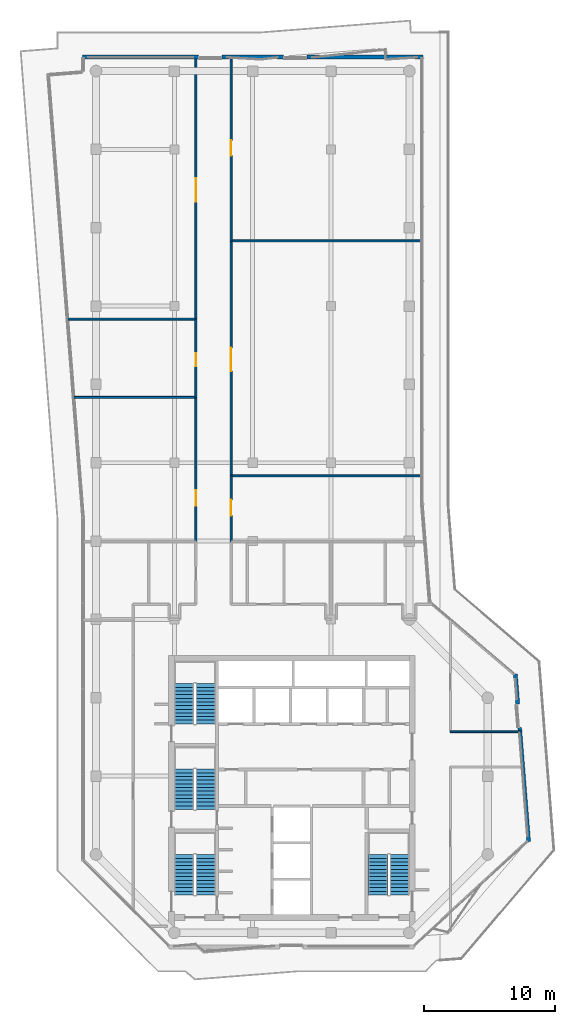
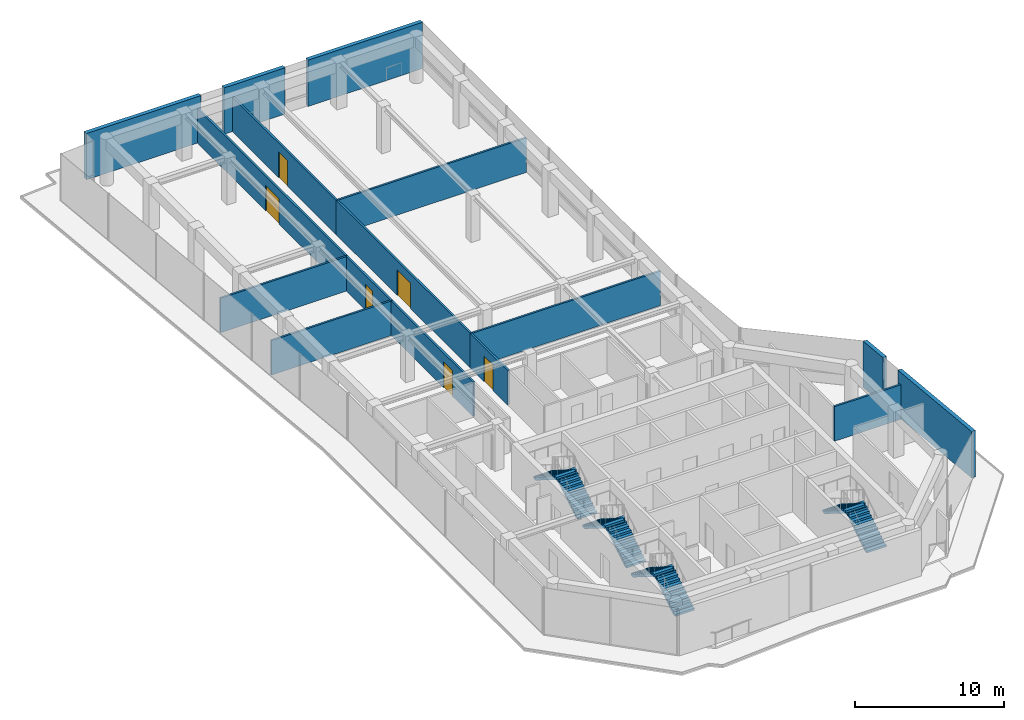
# One storey, part 21 of 23: 16 walls, 8 stair flights, 6 doors, 6 openings, 4 elements without a shape of their own.
"""IFC4 building model written with IfcOpenShell, lengths in metres."""

from ifc_helpers import new_model, si_unit, direction, frame, frame_2d, origin, place, context, subcontext, project, spatial, polyline, rectangle, outline, extrude, material, layer, layer_set, type_object, element, fill, aggregate, save


model = new_model("IFC4")

# Units and contexts
model_context = context("Model", 3, precision=1e-05, world=origin(), true_north=direction((0.0, 1.0)))
body_context = subcontext(model_context, "Body", "Model", "MODEL_VIEW")
ifc_project = project(units=[si_unit("LENGTHUNIT", "METRE"), si_unit("AREAUNIT", "SQUARE_METRE"), si_unit("VOLUMEUNIT", "CUBIC_METRE"), si_unit("PLANEANGLEUNIT", "RADIAN"), si_unit("MASSUNIT", "GRAM", prefix="KILO")], contexts=[model_context])

# Site, building, storey
site_placement = place(None, origin())
site = spatial("IfcSite", under=ifc_project, at=site_placement, CompositionType="ELEMENT")
building_placement = place(site_placement, origin())
building = spatial("IfcBuilding", under=site, at=building_placement, Name="Welwitschia Terrace Campus", CompositionType="ELEMENT")
storey_placement = place(building_placement, frame((0.0, 0.0, 209.60009765625)))
storey = spatial("IfcBuildingStorey", under=building, at=storey_placement, Name="L46", CompositionType="ELEMENT", Elevation=209.60009765625)

# Walls
ifc_material_1 = material(Name="Gypsum board on steel studs", Category="steel")
ifc_layer_1 = layer(ifc_material_1, 0.14990234375)
ifc_layer_set_1 = layer_set([ifc_layer_1], Name="Gypsum board on steel studs")
wall_type_1 = type_object("IfcWallType", Name="Corridor partition 150 EI 30", PredefinedType="PARTITIONING", material=ifc_layer_set_1)
wall_1_placement = place(storey_placement, frame((-2.179931640625, 51.0, 0.0), z_axis=(0.0, 0.0, 1.0), x_axis=(1.0, 0.0, 0.0)))
element("IfcWall", 1, at=wall_1_placement, inside=storey, type_object=wall_type_1, Name="Partition", PredefinedType="PARTITIONING", context=body_context, shape_type="SweptSolid", body=[
    extrude(rectangle(XDim=9.829833984375, YDim=0.14990234375, at=frame_2d((4.9150390625, 0.0))), origin(), (0.0, 0.0, 1.0), 2.829833984375),
])
wall_2_placement = place(storey_placement, frame((-1.699951171875, 45.0, 0.0), z_axis=(0.0, 0.0, 1.0), x_axis=(1.0, 0.0, 0.0)))
element("IfcWall", 2, at=wall_2_placement, inside=storey, type_object=wall_type_1, Name="Partition", PredefinedType="PARTITIONING", context=body_context, shape_type="SweptSolid", body=[
    extrude(rectangle(XDim=9.349853515625, YDim=0.14990234375, at=frame_2d((4.6748046875, 0.0))), origin(), (0.0, 0.0, 1.0), 2.829833984375),
])

# Wall, opening, door
wall_3_placement = place(storey_placement, frame((7.64990234375, 33.949951171875, 0.0), z_axis=(0.0, 0.0, 1.0), x_axis=(0.0, 1.0, 0.0)))
wall_3 = element("IfcWall", 3, at=wall_3_placement, inside=storey, type_object=wall_type_1, Name="Partition", PredefinedType="PARTITIONING", context=body_context, shape_type="SweptSolid", body=[
    extrude(rectangle(XDim=11.050048828125, YDim=0.14990234375, at=frame_2d((5.52490234375, 0.0))), origin(), (0.0, 0.0, 1.0), 2.829833984375),
])
opening_1_placement = place(wall_3_placement, frame((2.75, 0.0, 0.0)))
opening_1 = element("IfcOpeningElement", 4, at=opening_1_placement, cuts=wall_3, Name="Opening DI12", PredefinedType="OPENING", context=body_context, shape_type="SweptSolid", body=[
    extrude(rectangle(XDim=1.199951171875, YDim=2.10009765625, at=frame_2d((0.60009765625, 1.050048828125))), frame((0.0, 0.0849609375, 0.0), z_axis=(0.0, -1.0, 0.0), x_axis=(1.0, 0.0, 0.0)), (0.0, 0.0, 1.0), 0.169921875),
])
ifc_material_2 = material(Name="Timber veneered door", Category="wood")
door_type_1 = type_object("IfcDoorType", Name="Interior door DI12", OperationType="NOTDEFINED", PredefinedType="DOOR", material=ifc_material_2)
door_1_placement = place(opening_1_placement, origin())
door_1 = element("IfcDoor", 5, at=door_1_placement, inside=storey, type_object=door_type_1, Name="Door L46 873", OperationType="SINGLE_SWING_RIGHT", OverallHeight=2.10009765625, OverallWidth=1.199951171875, PredefinedType="DOOR", context=body_context, shape_type="SweptSolid", body=[
    extrude(rectangle(XDim=1.199951171875, YDim=2.10009765625, at=frame_2d((0.60009765625, 1.050048828125))), frame((0.0, 0.02490234375, 0.0), z_axis=(0.0, -1.0, 0.0), x_axis=(1.0, 0.0, 0.0)), (0.0, 0.0, 1.0), 0.050048828125),
])
fill(opening_1, door_1)

wall_4_placement = place(storey_placement, frame((7.64990234375, 45.0, 0.0), z_axis=(0.0, 0.0, 1.0), x_axis=(0.0, 1.0, 0.0)))
wall_4 = element("IfcWall", 6, at=wall_4_placement, inside=storey, type_object=wall_type_1, Name="Partition", PredefinedType="PARTITIONING", context=body_context, shape_type="SweptSolid", body=[
    extrude(rectangle(XDim=6.0, YDim=0.14990234375, at=frame_2d((3.0, 0.0))), origin(), (0.0, 0.0, 1.0), 2.829833984375),
])
opening_2_placement = place(wall_4_placement, frame((2.39990234375, 0.0, 0.0)))
opening_2 = element("IfcOpeningElement", 7, at=opening_2_placement, cuts=wall_4, Name="Opening DI10", PredefinedType="OPENING", context=body_context, shape_type="SweptSolid", body=[
    extrude(rectangle(XDim=1.0, YDim=2.10009765625, at=frame_2d((0.5, 1.050048828125))), frame((0.0, 0.0849609375, 0.0), z_axis=(0.0, -1.0, 0.0), x_axis=(1.0, 0.0, 0.0)), (0.0, 0.0, 1.0), 0.169921875),
])
ifc_material_3 = material(Name="Timber veneered door", Category="wood")
door_type_2 = type_object("IfcDoorType", Name="Interior door DI10", OperationType="NOTDEFINED", PredefinedType="DOOR", material=ifc_material_3)
door_2_placement = place(opening_2_placement, origin())
door_2 = element("IfcDoor", 8, at=door_2_placement, inside=storey, type_object=door_type_2, Name="Door L46 874", OperationType="SINGLE_SWING_LEFT", OverallHeight=2.10009765625, OverallWidth=1.0, PredefinedType="DOOR", context=body_context, shape_type="SweptSolid", body=[
    extrude(rectangle(XDim=1.0, YDim=2.10009765625, at=frame_2d((0.5, 1.050048828125))), frame((0.0, 0.02490234375, 0.0), z_axis=(0.0, -1.0, 0.0), x_axis=(1.0, 0.0, 0.0)), (0.0, 0.0, 1.0), 0.050048828125),
])
fill(opening_2, door_2)

wall_5_placement = place(storey_placement, frame((7.64990234375, 71.090087890625, 0.0), z_axis=(0.0, 0.0, 1.0), x_axis=(0.0, -1.0, 0.0)))
wall_5 = element("IfcWall", 9, at=wall_5_placement, inside=storey, type_object=wall_type_1, Name="Partition", PredefinedType="PARTITIONING", context=body_context, shape_type="SweptSolid", body=[
    extrude(rectangle(XDim=20.090087890625, YDim=0.14990234375, at=frame_2d((10.044921875, 0.0))), origin(), (0.0, 0.0, 1.0), 2.829833984375),
])
opening_3_placement = place(wall_5_placement, frame((9.31005859375, 0.0, 0.0)))
opening_3 = element("IfcOpeningElement", 10, at=opening_3_placement, cuts=wall_5, Name="Opening DI18", PredefinedType="OPENING", context=body_context, shape_type="SweptSolid", body=[
    extrude(rectangle(XDim=1.800048828125, YDim=2.10009765625, at=frame_2d((0.89990234375, 1.050048828125))), frame((0.0, 0.0849609375, 0.0), z_axis=(0.0, -1.0, 0.0), x_axis=(1.0, 0.0, 0.0)), (0.0, 0.0, 1.0), 0.169921875),
])
ifc_material_4 = material(Name="Timber veneered door", Category="wood")
door_type_3 = type_object("IfcDoorType", Name="Interior door DI18", OperationType="DOUBLE_DOOR_SINGLE_SWING", PredefinedType="DOOR", material=ifc_material_4)
door_3_placement = place(opening_3_placement, origin())
door_3 = element("IfcDoor", 11, at=door_3_placement, inside=storey, type_object=door_type_3, Name="Door L46 875", OperationType="SINGLE_SWING_LEFT", OverallHeight=2.10009765625, OverallWidth=1.800048828125, PredefinedType="DOOR", context=body_context, shape_type="SweptSolid", body=[
    extrude(rectangle(XDim=1.800048828125, YDim=2.10009765625, at=frame_2d((0.89990234375, 1.050048828125))), frame((0.0, 0.02490234375, 0.0), z_axis=(0.0, -1.0, 0.0), x_axis=(1.0, 0.0, 0.0)), (0.0, 0.0, 1.0), 0.050048828125),
])
fill(opening_3, door_3)

wall_6_placement = place(storey_placement, frame((10.35009765625, 39.0, 0.0), z_axis=(0.0, 0.0, 1.0), x_axis=(0.0, -1.0, 0.0)))
wall_6 = element("IfcWall", 12, at=wall_6_placement, inside=storey, type_object=wall_type_1, Name="Partition", PredefinedType="PARTITIONING", context=body_context, shape_type="SweptSolid", body=[
    extrude(rectangle(XDim=5.050048828125, YDim=0.14990234375, at=frame_2d((2.52490234375, 0.0))), origin(), (0.0, 0.0, 1.0), 2.829833984375),
])
opening_4_placement = place(wall_6_placement, frame((1.85009765625, 0.0, 0.0)))
opening_4 = element("IfcOpeningElement", 13, at=opening_4_placement, cuts=wall_6, Name="Opening DI12", PredefinedType="OPENING", context=body_context, shape_type="SweptSolid", body=[
    extrude(rectangle(XDim=1.199951171875, YDim=2.10009765625, at=frame_2d((0.60009765625, 1.050048828125))), frame((0.0, 0.0849609375, 0.0), z_axis=(0.0, -1.0, 0.0), x_axis=(1.0, 0.0, 0.0)), (0.0, 0.0, 1.0), 0.169921875),
])
door_4_placement = place(opening_4_placement, origin())
door_4 = element("IfcDoor", 14, at=door_4_placement, inside=storey, type_object=door_type_1, Name="Door L46 876", OperationType="SINGLE_SWING_LEFT", OverallHeight=2.10009765625, OverallWidth=1.199951171875, PredefinedType="DOOR", context=body_context, shape_type="SweptSolid", body=[
    extrude(rectangle(XDim=1.199951171875, YDim=2.10009765625, at=frame_2d((0.60009765625, 1.050048828125))), frame((0.0, 0.02490234375, 0.0), z_axis=(0.0, -1.0, 0.0), x_axis=(1.0, 0.0, 0.0)), (0.0, 0.0, 1.0), 0.050048828125),
])
fill(opening_4, door_4)

wall_7_placement = place(storey_placement, frame((10.35009765625, 39.0, 0.0), z_axis=(0.0, 0.0, 1.0), x_axis=(0.0, 1.0, 0.0)))
wall_7 = element("IfcWall", 15, at=wall_7_placement, inside=storey, type_object=wall_type_1, Name="Partition", PredefinedType="PARTITIONING", context=body_context, shape_type="SweptSolid", body=[
    extrude(rectangle(XDim=18.0, YDim=0.14990234375, at=frame_2d((9.0, 0.0))), origin(), (0.0, 0.0, 1.0), 2.829833984375),
])
opening_5_placement = place(wall_7_placement, frame((8.0, 0.0, 0.0)))
opening_5 = element("IfcOpeningElement", 16, at=opening_5_placement, cuts=wall_7, Name="Opening DI18", PredefinedType="OPENING", context=body_context, shape_type="SweptSolid", body=[
    extrude(rectangle(XDim=1.800048828125, YDim=2.10009765625, at=frame_2d((0.89990234375, 1.050048828125))), frame((0.0, 0.0849609375, 0.0), z_axis=(0.0, -1.0, 0.0), x_axis=(1.0, 0.0, 0.0)), (0.0, 0.0, 1.0), 0.169921875),
])
door_5_placement = place(opening_5_placement, origin())
door_5 = element("IfcDoor", 17, at=door_5_placement, inside=storey, type_object=door_type_3, Name="Door L46 877", OperationType="SINGLE_SWING_LEFT", OverallHeight=2.10009765625, OverallWidth=1.800048828125, PredefinedType="DOOR", context=body_context, shape_type="SweptSolid", body=[
    extrude(rectangle(XDim=1.800048828125, YDim=2.10009765625, at=frame_2d((0.89990234375, 1.050048828125))), frame((0.0, 0.02490234375, 0.0), z_axis=(0.0, -1.0, 0.0), x_axis=(1.0, 0.0, 0.0)), (0.0, 0.0, 1.0), 0.050048828125),
])
fill(opening_5, door_5)

# Walls
for number, where, z_axis, x_axis, name in (
    (18, (10.35009765625, 39.0, 0.0), (0.0, 0.0, 1.0), (1.0, 0.0, 0.0), "Partition"),
    (19, (10.35009765625, 57.0, 0.0), (0.0, 0.0, 1.0), (1.0, 0.0, 0.0), "Partition"),
):
    element("IfcWall", number, at=place(storey_placement, frame(where, z_axis=z_axis, x_axis=x_axis)), inside=storey, type_object=wall_type_1, Name=name, PredefinedType="PARTITIONING", context=body_context, shape_type="SweptSolid", body=[
        extrude(rectangle(XDim=14.6298828125, YDim=0.14990234375, at=frame_2d((7.31494140625, 0.0))), origin(), (0.0, 0.0, 1.0), 2.829833984375),
    ])

# Wall, opening, door
wall_8_placement = place(storey_placement, frame((10.35009765625, 71.090087890625, 0.0), z_axis=(0.0, 0.0, 1.0), x_axis=(0.0, -1.0, 0.0)))
wall_8 = element("IfcWall", 20, at=wall_8_placement, inside=storey, type_object=wall_type_1, Name="Partition", PredefinedType="PARTITIONING", context=body_context, shape_type="SweptSolid", body=[
    extrude(rectangle(XDim=14.090087890625, YDim=0.14990234375, at=frame_2d((7.044921875, 0.0))), origin(), (0.0, 0.0, 1.0), 2.829833984375),
])
opening_6_placement = place(wall_8_placement, frame((6.389892578125, 0.0, 0.0)))
opening_6 = element("IfcOpeningElement", 21, at=opening_6_placement, cuts=wall_8, Name="Opening DI12", PredefinedType="OPENING", context=body_context, shape_type="SweptSolid", body=[
    extrude(rectangle(XDim=1.199951171875, YDim=2.10009765625, at=frame_2d((0.60009765625, 1.050048828125))), frame((0.0, 0.0849609375, 0.0), z_axis=(0.0, -1.0, 0.0), x_axis=(1.0, 0.0, 0.0)), (0.0, 0.0, 1.0), 0.169921875),
])
door_6_placement = place(opening_6_placement, origin())
door_6 = element("IfcDoor", 22, at=door_6_placement, inside=storey, type_object=door_type_1, Name="Door L46 878", OperationType="SINGLE_SWING_LEFT", OverallHeight=2.10009765625, OverallWidth=1.199951171875, PredefinedType="DOOR", context=body_context, shape_type="SweptSolid", body=[
    extrude(rectangle(XDim=1.199951171875, YDim=2.10009765625, at=frame_2d((0.60009765625, 1.050048828125))), frame((0.0, 0.02490234375, 0.0), z_axis=(0.0, -1.0, 0.0), x_axis=(1.0, 0.0, 0.0)), (0.0, 0.0, 1.0), 0.050048828125),
])
fill(opening_6, door_6)

# Walls
wall_9_placement = place(storey_placement, frame((27.14990234375, 19.39990234375, 0.0), z_axis=(0.0, 0.0, 1.0), x_axis=(1.0, 0.0, 0.0)))
element("IfcWall", 23, at=wall_9_placement, inside=storey, type_object=wall_type_1, Name="Partition", PredefinedType="PARTITIONING", context=body_context, shape_type="SweptSolid", body=[
    extrude(rectangle(XDim=5.330078125, YDim=0.14990234375, at=frame_2d((2.6650390625, 0.0))), origin(), (0.0, 0.0, 1.0), 2.829833984375),
])
ifc_material_5 = material(Name="Concrete C40/50", Category="concrete")
ifc_layer_2 = layer(ifc_material_5, 0.300048828125)
ifc_layer_set_2 = layer_set([ifc_layer_2], Name="Concrete C40/50")
wall_type_2 = type_object("IfcWallType", Name="Mass wall 300", PredefinedType="SOLIDWALL", material=ifc_layer_set_2)
wall_10_placement = place(storey_placement, frame((33.130859375, 10.998291015625, 0.0), z_axis=(0.0, 0.0, 1.0), x_axis=(-0.078467243586, 0.996916692449, 0.0)))
element("IfcWall", 24, at=wall_10_placement, inside=storey, type_object=wall_type_2, Name="Mass wall L46.4.0", PredefinedType="SOLIDWALL", context=body_context, shape_type="SweptSolid", body=[
    extrude(rectangle(XDim=8.73974609375, YDim=0.300048828125, at=frame_2d((4.369873046875, 0.0))), origin(), (0.0, 0.0, 1.0), 3.7998046875),
])
wall_11_placement = place(storey_placement, frame((32.3037109375, 21.505615234375, 0.0), z_axis=(0.0, 0.0, 1.0), x_axis=(-0.078407178347, 0.996921418359, 0.0)))
element("IfcWall", 25, at=wall_11_placement, inside=storey, type_object=wall_type_2, Name="Mass wall L46.4.1", PredefinedType="SOLIDWALL", context=body_context, shape_type="SweptSolid", body=[
    extrude(rectangle(XDim=2.3134765625, YDim=0.300048828125, at=frame_2d((1.15673828125, 0.0))), origin(), (0.0, 0.0, 1.0), 3.7998046875),
])
wall_12_placement = place(storey_placement, frame((25.030029296875, 71.078125, 0.0), z_axis=(0.0, 0.0, 1.0), x_axis=(-1.0, 0.0, 0.0)))
element("IfcWall", 26, at=wall_12_placement, inside=storey, type_object=wall_type_2, Name="Mass wall L46.8.0", PredefinedType="SOLIDWALL", context=body_context, shape_type="SweptSolid", body=[
    extrude(rectangle(XDim=8.87255859375, YDim=0.300048828125, at=frame_2d((4.436279296875, 0.0))), origin(), (0.0, 0.0, 1.0), 3.7998046875),
])
wall_13_placement = place(storey_placement, frame((14.357421875, 71.080078125, 0.0), z_axis=(0.0, 0.0, 1.0), x_axis=(-1.0, 0.0, 0.0)))
element("IfcWall", 27, at=wall_13_placement, inside=storey, type_object=wall_type_2, Name="Mass wall L46.8.1", PredefinedType="SOLIDWALL", context=body_context, shape_type="SweptSolid", body=[
    extrude(rectangle(XDim=4.71484375, YDim=0.300048828125, at=frame_2d((2.357421875, 0.0))), origin(), (0.0, 0.0, 1.0), 3.7998046875),
])
wall_14_placement = place(storey_placement, frame((7.842529296875, 71.078125, 0.0), z_axis=(0.0, 0.0, 1.0), x_axis=(-1.0, 0.0, 0.0)))
element("IfcWall", 28, at=wall_14_placement, inside=storey, type_object=wall_type_2, Name="Mass wall L46.8.2", PredefinedType="SOLIDWALL", context=body_context, shape_type="SweptSolid", body=[
    extrude(rectangle(XDim=8.87255859375, YDim=0.300048828125, at=frame_2d((4.436279296875, 0.0))), origin(), (0.0, 0.0, 1.0), 3.7998046875),
])

# Stair, stair flights
ifc_material_6 = material(Name="Concrete C40/50", Category="concrete")
stair_type = type_object("IfcStairType", Name="Stair 24R 175 W1500", PredefinedType="HALF_TURN_STAIR", material=ifc_material_6)
stair_1_placement = place(storey_placement, origin())
stair_1 = element("IfcStair", 29, at=stair_1_placement, inside=storey, type_object=stair_type, Name="L46 Exit stair S1", PredefinedType="HALF_TURN_STAIR")
ifc_material_7 = material(Name="Concrete C40/50", Category="concrete")
stair_flight_type = type_object("IfcStairFlightType", Name="Stair flight 24R 175 W1500", PredefinedType="STRAIGHT", material=ifc_material_7)
stair_flight_1_placement = place(storey_placement, frame((8.39990234375, 6.89990234375, 0.0), z_axis=(0.0, 0.0, 1.0), x_axis=(0.0, 1.0, 0.0)))
stair_flight_1 = element("IfcStairFlight", 30, at=stair_flight_1_placement, type_object=stair_flight_type, Name="S1 flight 1", NumberOfRisers=12, NumberOfTreads=11, PredefinedType="STRAIGHT", RiserHeight=0.175, TreadLength=0.28, context=body_context, shape_type="SweptSolid", body=[
    extrude(outline(polyline([(0.0, 0.0), (0.0, 0.175048828125), (0.280029296875, 0.175048828125), (0.280029296875, 0.35009765625), (0.56005859375, 0.35009765625), (0.56005859375, 0.52490234375), (0.840087890625, 0.52490234375), (0.840087890625, 0.699951171875), (1.1201171875, 0.699951171875), (1.1201171875, 0.875), (1.39990234375, 0.875), (1.39990234375, 1.050048828125), (1.679931640625, 1.050048828125), (1.679931640625, 1.22509765625), (1.9599609375, 1.22509765625), (1.9599609375, 1.39990234375), (2.239990234375, 1.39990234375), (2.239990234375, 1.574951171875), (2.52001953125, 1.574951171875), (2.52001953125, 1.75), (2.800048828125, 1.75), (2.800048828125, 1.925048828125), (3.080078125, 1.925048828125), (3.080078125, 2.10009765625), (3.080078125, 1.748291015625), (0.28271484375, 0.0), (0.0, 0.0)])), frame((0.0, 0.75, 0.0), z_axis=(0.0, -1.0, 0.0), x_axis=(1.0, 0.0, 0.0)), (0.0, 0.0, 1.0), 1.5),
])
stair_flight_2_placement = place(storey_placement, frame((6.75, 9.97998046875, 2.099853515625), z_axis=(0.0, 0.0, 1.0), x_axis=(0.0, -1.0, 0.0)))
stair_flight_2 = element("IfcStairFlight", 31, at=stair_flight_2_placement, type_object=stair_flight_type, Name="S1 flight 2", NumberOfRisers=12, NumberOfTreads=11, PredefinedType="STRAIGHT", RiserHeight=0.175, TreadLength=0.28, context=body_context, shape_type="SweptSolid", body=[
    extrude(outline(polyline([(0.0, 0.0), (0.0, 0.175048828125), (0.280029296875, 0.175048828125), (0.280029296875, 0.35009765625), (0.56005859375, 0.35009765625), (0.56005859375, 0.52490234375), (0.840087890625, 0.52490234375), (0.840087890625, 0.699951171875), (1.1201171875, 0.699951171875), (1.1201171875, 0.875), (1.39990234375, 0.875), (1.39990234375, 1.050048828125), (1.679931640625, 1.050048828125), (1.679931640625, 1.22509765625), (1.9599609375, 1.22509765625), (1.9599609375, 1.39990234375), (2.239990234375, 1.39990234375), (2.239990234375, 1.574951171875), (2.52001953125, 1.574951171875), (2.52001953125, 1.75), (2.800048828125, 1.75), (2.800048828125, 1.925048828125), (3.080078125, 1.925048828125), (3.080078125, 2.10009765625), (3.080078125, 1.748291015625), (0.28271484375, 0.0), (0.0, 0.0)])), frame((0.0, 0.75, 0.0), z_axis=(0.0, -1.0, 0.0), x_axis=(1.0, 0.0, 0.0)), (0.0, 0.0, 1.0), 1.5),
])
aggregate(stair_1, [stair_flight_1, stair_flight_2])

stair_2_placement = place(storey_placement, origin())
stair_2 = element("IfcStair", 32, at=stair_2_placement, inside=storey, type_object=stair_type, Name="L46 Exit stair S3", PredefinedType="HALF_TURN_STAIR")
stair_flight_3_placement = place(storey_placement, frame((8.39990234375, 13.449951171875, 0.0), z_axis=(0.0, 0.0, 1.0), x_axis=(0.0, 1.0, 0.0)))
stair_flight_3 = element("IfcStairFlight", 33, at=stair_flight_3_placement, type_object=stair_flight_type, Name="S3 flight 1", NumberOfRisers=12, NumberOfTreads=11, PredefinedType="STRAIGHT", RiserHeight=0.175, TreadLength=0.28, context=body_context, shape_type="SweptSolid", body=[
    extrude(outline(polyline([(0.0, 0.0), (0.0, 0.175048828125), (0.280029296875, 0.175048828125), (0.280029296875, 0.35009765625), (0.56005859375, 0.35009765625), (0.56005859375, 0.52490234375), (0.840087890625, 0.52490234375), (0.840087890625, 0.699951171875), (1.1201171875, 0.699951171875), (1.1201171875, 0.875), (1.39990234375, 0.875), (1.39990234375, 1.050048828125), (1.679931640625, 1.050048828125), (1.679931640625, 1.22509765625), (1.9599609375, 1.22509765625), (1.9599609375, 1.39990234375), (2.239990234375, 1.39990234375), (2.239990234375, 1.574951171875), (2.52001953125, 1.574951171875), (2.52001953125, 1.75), (2.800048828125, 1.75), (2.800048828125, 1.925048828125), (3.080078125, 1.925048828125), (3.080078125, 2.10009765625), (3.080078125, 1.748291015625), (0.28271484375, 0.0), (0.0, 0.0)])), frame((0.0, 0.75, 0.0), z_axis=(0.0, -1.0, 0.0), x_axis=(1.0, 0.0, 0.0)), (0.0, 0.0, 1.0), 1.5),
])
stair_flight_4_placement = place(storey_placement, frame((6.75, 16.530029296875, 2.099853515625), z_axis=(0.0, 0.0, 1.0), x_axis=(0.0, -1.0, 0.0)))
stair_flight_4 = element("IfcStairFlight", 34, at=stair_flight_4_placement, type_object=stair_flight_type, Name="S3 flight 2", NumberOfRisers=12, NumberOfTreads=11, PredefinedType="STRAIGHT", RiserHeight=0.175, TreadLength=0.28, context=body_context, shape_type="SweptSolid", body=[
    extrude(outline(polyline([(0.0, 0.0), (0.0, 0.175048828125), (0.280029296875, 0.175048828125), (0.280029296875, 0.35009765625), (0.56005859375, 0.35009765625), (0.56005859375, 0.52490234375), (0.840087890625, 0.52490234375), (0.840087890625, 0.699951171875), (1.1201171875, 0.699951171875), (1.1201171875, 0.875), (1.39990234375, 0.875), (1.39990234375, 1.050048828125), (1.679931640625, 1.050048828125), (1.679931640625, 1.22509765625), (1.9599609375, 1.22509765625), (1.9599609375, 1.39990234375), (2.239990234375, 1.39990234375), (2.239990234375, 1.574951171875), (2.52001953125, 1.574951171875), (2.52001953125, 1.75), (2.800048828125, 1.75), (2.800048828125, 1.925048828125), (3.080078125, 1.925048828125), (3.080078125, 2.10009765625), (3.080078125, 1.748291015625), (0.28271484375, 0.0), (0.0, 0.0)])), frame((0.0, 0.75, 0.0), z_axis=(0.0, -1.0, 0.0), x_axis=(1.0, 0.0, 0.0)), (0.0, 0.0, 1.0), 1.5),
])
aggregate(stair_2, [stair_flight_3, stair_flight_4])

stair_3_placement = place(storey_placement, origin())
stair_3 = element("IfcStair", 35, at=stair_3_placement, inside=storey, type_object=stair_type, Name="L46 Exit stair S4", PredefinedType="HALF_TURN_STAIR")
stair_flight_5_placement = place(storey_placement, frame((8.39990234375, 20.0, 0.0), z_axis=(0.0, 0.0, 1.0), x_axis=(0.0, 1.0, 0.0)))
stair_flight_5 = element("IfcStairFlight", 36, at=stair_flight_5_placement, type_object=stair_flight_type, Name="S4 flight 1", NumberOfRisers=12, NumberOfTreads=11, PredefinedType="STRAIGHT", RiserHeight=0.175, TreadLength=0.28, context=body_context, shape_type="SweptSolid", body=[
    extrude(outline(polyline([(0.0, 0.0), (0.0, 0.175048828125), (0.280029296875, 0.175048828125), (0.280029296875, 0.35009765625), (0.56005859375, 0.35009765625), (0.56005859375, 0.52490234375), (0.840087890625, 0.52490234375), (0.840087890625, 0.699951171875), (1.1201171875, 0.699951171875), (1.1201171875, 0.875), (1.39990234375, 0.875), (1.39990234375, 1.050048828125), (1.679931640625, 1.050048828125), (1.679931640625, 1.22509765625), (1.9599609375, 1.22509765625), (1.9599609375, 1.39990234375), (2.239990234375, 1.39990234375), (2.239990234375, 1.574951171875), (2.52001953125, 1.574951171875), (2.52001953125, 1.75), (2.800048828125, 1.75), (2.800048828125, 1.925048828125), (3.080078125, 1.925048828125), (3.080078125, 2.10009765625), (3.080078125, 1.748291015625), (0.28271484375, 0.0), (0.0, 0.0)])), frame((0.0, 0.75, 0.0), z_axis=(0.0, -1.0, 0.0), x_axis=(1.0, 0.0, 0.0)), (0.0, 0.0, 1.0), 1.5),
])
stair_flight_6_placement = place(storey_placement, frame((6.75, 23.080078125, 2.099853515625), z_axis=(0.0, 0.0, 1.0), x_axis=(0.0, -1.0, 0.0)))
stair_flight_6 = element("IfcStairFlight", 37, at=stair_flight_6_placement, type_object=stair_flight_type, Name="S4 flight 2", NumberOfRisers=12, NumberOfTreads=11, PredefinedType="STRAIGHT", RiserHeight=0.175, TreadLength=0.28, context=body_context, shape_type="SweptSolid", body=[
    extrude(outline(polyline([(0.0, 0.0), (0.0, 0.175048828125), (0.280029296875, 0.175048828125), (0.280029296875, 0.35009765625), (0.56005859375, 0.35009765625), (0.56005859375, 0.52490234375), (0.840087890625, 0.52490234375), (0.840087890625, 0.699951171875), (1.1201171875, 0.699951171875), (1.1201171875, 0.875), (1.39990234375, 0.875), (1.39990234375, 1.050048828125), (1.679931640625, 1.050048828125), (1.679931640625, 1.22509765625), (1.9599609375, 1.22509765625), (1.9599609375, 1.39990234375), (2.239990234375, 1.39990234375), (2.239990234375, 1.574951171875), (2.52001953125, 1.574951171875), (2.52001953125, 1.75), (2.800048828125, 1.75), (2.800048828125, 1.925048828125), (3.080078125, 1.925048828125), (3.080078125, 2.10009765625), (3.080078125, 1.748291015625), (0.28271484375, 0.0), (0.0, 0.0)])), frame((0.0, 0.75, 0.0), z_axis=(0.0, -1.0, 0.0), x_axis=(1.0, 0.0, 0.0)), (0.0, 0.0, 1.0), 1.5),
])
aggregate(stair_3, [stair_flight_5, stair_flight_6])

stair_4_placement = place(storey_placement, origin())
stair_4 = element("IfcStair", 38, at=stair_4_placement, inside=storey, type_object=stair_type, Name="L46 Exit stair S2", PredefinedType="HALF_TURN_STAIR")
stair_flight_7_placement = place(storey_placement, frame((23.25, 6.89990234375, 0.0), z_axis=(0.0, 0.0, 1.0), x_axis=(0.0, 1.0, 0.0)))
stair_flight_7 = element("IfcStairFlight", 39, at=stair_flight_7_placement, type_object=stair_flight_type, Name="S2 flight 1", NumberOfRisers=12, NumberOfTreads=11, PredefinedType="STRAIGHT", RiserHeight=0.175, TreadLength=0.28, context=body_context, shape_type="SweptSolid", body=[
    extrude(outline(polyline([(0.0, 0.0), (0.0, 0.175048828125), (0.280029296875, 0.175048828125), (0.280029296875, 0.35009765625), (0.56005859375, 0.35009765625), (0.56005859375, 0.52490234375), (0.840087890625, 0.52490234375), (0.840087890625, 0.699951171875), (1.1201171875, 0.699951171875), (1.1201171875, 0.875), (1.39990234375, 0.875), (1.39990234375, 1.050048828125), (1.679931640625, 1.050048828125), (1.679931640625, 1.22509765625), (1.9599609375, 1.22509765625), (1.9599609375, 1.39990234375), (2.239990234375, 1.39990234375), (2.239990234375, 1.574951171875), (2.52001953125, 1.574951171875), (2.52001953125, 1.75), (2.800048828125, 1.75), (2.800048828125, 1.925048828125), (3.080078125, 1.925048828125), (3.080078125, 2.10009765625), (3.080078125, 1.748291015625), (0.28271484375, 0.0), (0.0, 0.0)])), frame((0.0, 0.75, 0.0), z_axis=(0.0, -1.0, 0.0), x_axis=(1.0, 0.0, 0.0)), (0.0, 0.0, 1.0), 1.5),
])
stair_flight_8_placement = place(storey_placement, frame((21.60009765625, 9.97998046875, 2.099853515625), z_axis=(0.0, 0.0, 1.0), x_axis=(0.0, -1.0, 0.0)))
stair_flight_8 = element("IfcStairFlight", 40, at=stair_flight_8_placement, type_object=stair_flight_type, Name="S2 flight 2", NumberOfRisers=12, NumberOfTreads=11, PredefinedType="STRAIGHT", RiserHeight=0.175, TreadLength=0.28, context=body_context, shape_type="SweptSolid", body=[
    extrude(outline(polyline([(0.0, 0.0), (0.0, 0.175048828125), (0.280029296875, 0.175048828125), (0.280029296875, 0.35009765625), (0.56005859375, 0.35009765625), (0.56005859375, 0.52490234375), (0.840087890625, 0.52490234375), (0.840087890625, 0.699951171875), (1.1201171875, 0.699951171875), (1.1201171875, 0.875), (1.39990234375, 0.875), (1.39990234375, 1.050048828125), (1.679931640625, 1.050048828125), (1.679931640625, 1.22509765625), (1.9599609375, 1.22509765625), (1.9599609375, 1.39990234375), (2.239990234375, 1.39990234375), (2.239990234375, 1.574951171875), (2.52001953125, 1.574951171875), (2.52001953125, 1.75), (2.800048828125, 1.75), (2.800048828125, 1.925048828125), (3.080078125, 1.925048828125), (3.080078125, 2.10009765625), (3.080078125, 1.748291015625), (0.28271484375, 0.0), (0.0, 0.0)])), frame((0.0, 0.75, 0.0), z_axis=(0.0, -1.0, 0.0), x_axis=(1.0, 0.0, 0.0)), (0.0, 0.0, 1.0), 1.5),
])
aggregate(stair_4, [stair_flight_7, stair_flight_8])

save(model, "model.ifc")
